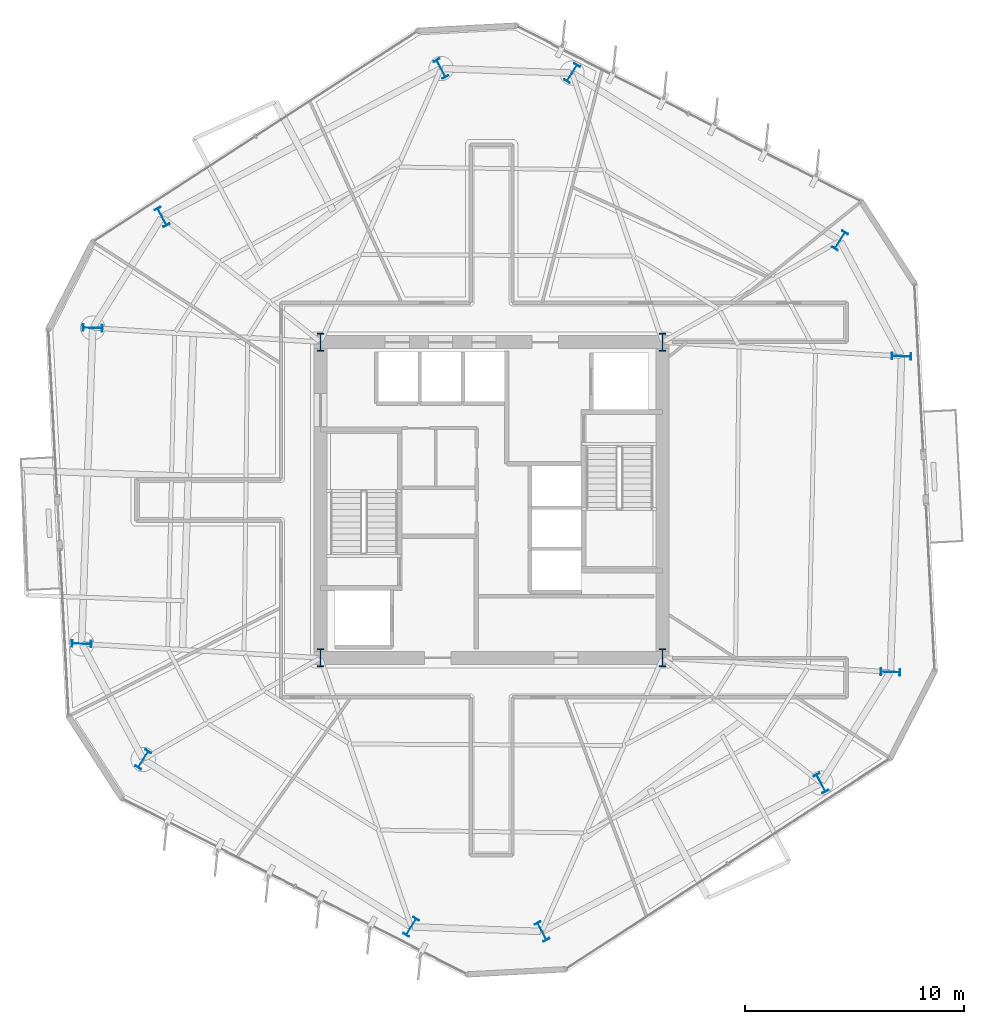
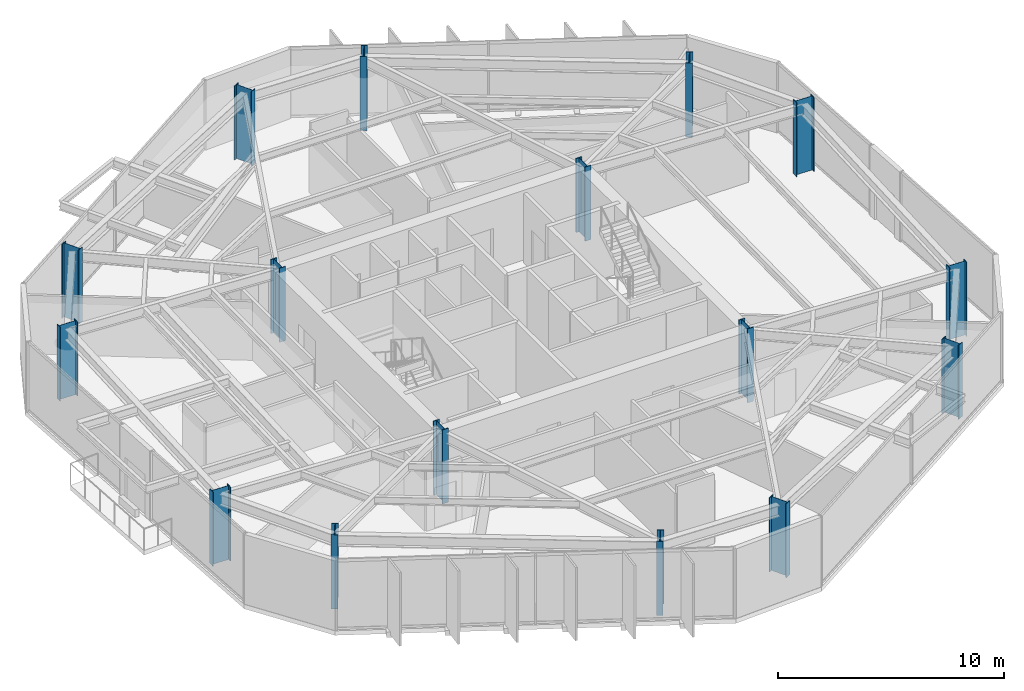
# One storey, part 1 of 12: 16 columns.
"""IFC4 building model written with IfcOpenShell, lengths in metres."""

from ifc_helpers import new_model, si_unit, direction, frame, origin, origin_2d, place, context, subcontext, project, spatial, i_section, extrude, material, material_profile, profile_set, type_object, element, save


model = new_model("IFC4")

# Units and contexts
model_context = context("Model", 3, precision=1e-05, world=origin(), true_north=direction((0.0, 1.0)))
body_context = subcontext(model_context, "Body", "Model", "MODEL_VIEW")
ifc_project = project(units=[si_unit("LENGTHUNIT", "METRE"), si_unit("AREAUNIT", "SQUARE_METRE"), si_unit("VOLUMEUNIT", "CUBIC_METRE"), si_unit("PLANEANGLEUNIT", "RADIAN"), si_unit("MASSUNIT", "GRAM", prefix="KILO")], contexts=[model_context])

# Site, building, storey
site_placement = place(None, origin())
site = spatial("IfcSite", under=ifc_project, at=site_placement, CompositionType="ELEMENT")
building_placement = place(site_placement, origin())
building = spatial("IfcBuilding", under=site, at=building_placement, Name="Kranzbogen Civic Tower", CompositionType="ELEMENT")
storey_placement = place(building_placement, frame((0.0, 0.0, 154.39990234375)))
storey = spatial("IfcBuildingStorey", under=building, at=storey_placement, Name="L37", CompositionType="ELEMENT", Elevation=154.39990234375)

# Columns
ifc_material_1 = material(Name="Steel S355", Category="steel")
ifc_material_profile_1 = material_profile(ifc_material_1, i_section(OverallWidth=0.300048828125, OverallDepth=0.89990234375, WebThickness=0.0185546875, FlangeThickness=0.034912109375, at=origin_2d()), Name="HEB 900")
ifc_profile_set_1 = profile_set([ifc_material_profile_1], Name="Steel S355")
column_type_1 = type_object("IfcColumnType", Name="Structural Column HEB 900", PredefinedType="COLUMN", material=ifc_profile_set_1)
for number, where, z_axis, x_axis, name in (
    (1, (40.885986328125, 36.8291015625, 0.0), (0.0, 0.0, 1.0), (-0.848048096156, 0.529919264233, 0.0), "L37 tower perimeter tube column 01"),
    (2, (28.66796875, 44.464111328125, 0.0), (0.0, 0.0, 1.0), (-0.848048096156, 0.529919264233, 0.0), "L37 tower perimeter tube column 02"),
    (3, (22.698974609375, 44.672119140625, 0.0), (0.0, 0.0, 1.0), (0.882947592859, 0.469471562786, 0.0), "L37 tower perimeter tube column 03"),
    (4, (9.97705078125, 37.907958984375, 0.0), (0.0, 0.0, 1.0), (0.882947592859, 0.469471562786, 0.0), "L37 tower perimeter tube column 04"),
    (5, (6.81298828125, 32.843994140625, 0.0), (0.0, 0.0, 1.0), (0.034899496703, 0.999390827019, 0.0), "L37 tower perimeter tube column 05"),
    (6, (6.31005859375, 18.444091796875, 0.0), (0.0, 0.0, 1.0), (0.034899496703, 0.999390827019, 0.0), "L37 tower perimeter tube column 06"),
    (7, (9.114013671875, 13.1708984375, 0.0), (0.0, 0.0, 1.0), (-0.848048096156, 0.529919264233, 0.0), "L37 tower perimeter tube column 07"),
    (8, (21.33203125, 5.535888671875, 0.0), (0.0, 0.0, 1.0), (-0.848048096156, 0.529919264233, 0.0), "L37 tower perimeter tube column 08"),
    (9, (27.301025390625, 5.327880859375, 0.0), (0.0, 0.0, 1.0), (0.882947592859, 0.469471562786, 0.0), "L37 tower perimeter tube column 09"),
    (10, (40.02294921875, 12.092041015625, 0.0), (0.0, 0.0, 1.0), (0.882947592859, 0.469471562786, 0.0), "L37 tower perimeter tube column 10"),
    (11, (43.18701171875, 17.156005859375, 0.0), (0.0, 0.0, 1.0), (0.034899496703, 0.999390827019, 0.0), "L37 tower perimeter tube column 11"),
    (12, (43.68994140625, 31.555908203125, 0.0), (0.0, 0.0, 1.0), (0.034899496703, 0.999390827019, 0.0), "L37 tower perimeter tube column 12"),
):
    element("IfcColumn", number, at=place(storey_placement, frame(where, z_axis=z_axis, x_axis=x_axis)), inside=storey, type_object=column_type_1, Name=name, PredefinedType="COLUMN", context=body_context, shape_type="SweptSolid", body=[
        extrude(i_section(OverallWidth=0.300048828125, OverallDepth=0.89990234375, WebThickness=0.0185546875, FlangeThickness=0.034912109375, at=origin_2d()), origin(), (0.0, 0.0, 1.0), 4.0),
    ])
ifc_material_2 = material(Name="Steel S460", Category="steel")
ifc_material_profile_2 = material_profile(ifc_material_2, i_section(OverallWidth=0.302978515625, OverallDepth=0.81396484375, WebThickness=0.02099609375, FlangeThickness=0.0400390625, at=origin_2d()), Name="HEM 800")
ifc_profile_set_2 = profile_set([ifc_material_profile_2], Name="Steel S460")
column_type_2 = type_object("IfcColumnType", Name="Structural Column HEM 800", PredefinedType="COLUMN", material=ifc_profile_set_2)
for number, where, z_axis, x_axis, name in (
    (13, (17.199951171875, 17.800048828125, 0.0), (0.0, 0.0, 1.0), (1.0, 0.0, 0.0), "L37 composite core corner column 1"),
    (14, (32.800048828125, 17.800048828125, 0.0), (0.0, 0.0, 1.0), (1.0, 0.0, 0.0), "L37 composite core corner column 2"),
    (15, (32.800048828125, 32.199951171875, 0.0), (0.0, 0.0, 1.0), (1.0, 0.0, 0.0), "L37 composite core corner column 3"),
    (16, (17.199951171875, 32.199951171875, 0.0), (0.0, 0.0, 1.0), (1.0, 0.0, 0.0), "L37 composite core corner column 4"),
):
    element("IfcColumn", number, at=place(storey_placement, frame(where, z_axis=z_axis, x_axis=x_axis)), inside=storey, type_object=column_type_2, Name=name, PredefinedType="COLUMN", context=body_context, shape_type="SweptSolid", body=[
        extrude(i_section(OverallWidth=0.302978515625, OverallDepth=0.81396484375, WebThickness=0.02099609375, FlangeThickness=0.0400390625, at=origin_2d()), origin(), (0.0, 0.0, 1.0), 4.0),
    ])

save(model, "model.ifc")
